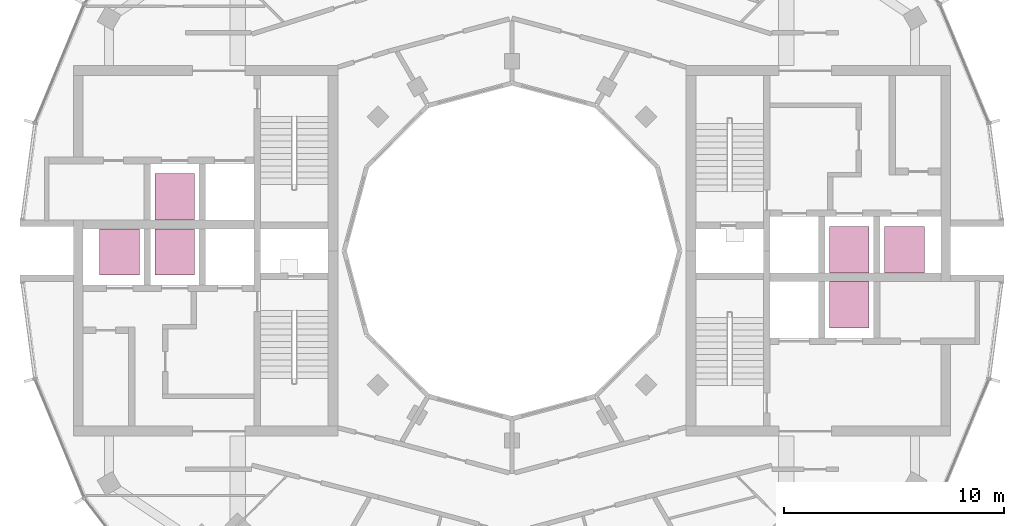
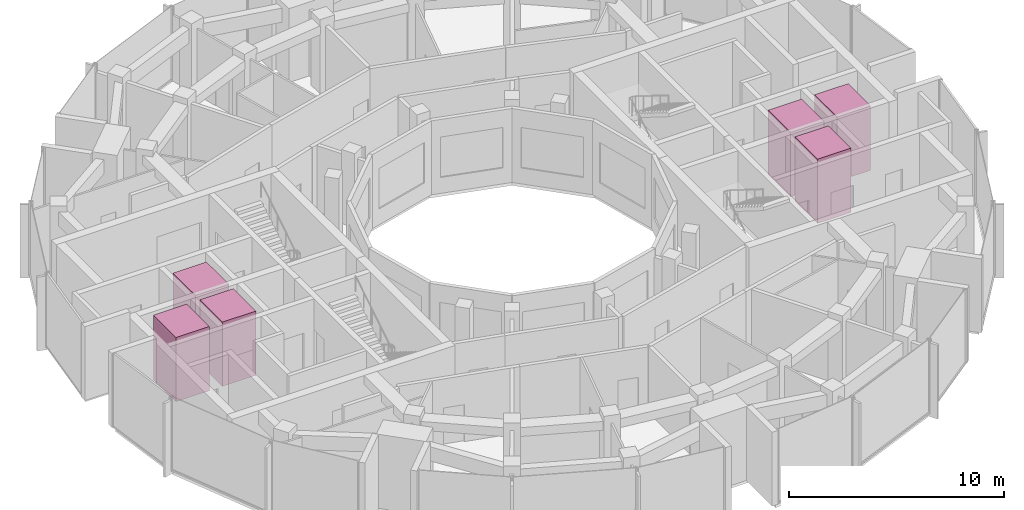
# One storey, part 14 of 14: 6 transport elements.
"""IFC4 building model written with IfcOpenShell, lengths in metres."""

from ifc_helpers import new_model, si_unit, direction, frame, origin, origin_2d, place, context, subcontext, project, spatial, rectangle, extrude, material, type_object, element, save


model = new_model("IFC4")

# Units and contexts
model_context = context("Model", 3, precision=1e-05, world=origin(), true_north=direction((0.0, 1.0)))
body_context = subcontext(model_context, "Body", "Model", "MODEL_VIEW")
ifc_project = project(units=[si_unit("LENGTHUNIT", "METRE"), si_unit("AREAUNIT", "SQUARE_METRE"), si_unit("VOLUMEUNIT", "CUBIC_METRE"), si_unit("PLANEANGLEUNIT", "RADIAN"), si_unit("MASSUNIT", "GRAM", prefix="KILO")], contexts=[model_context])

# Site, building, storey
site_placement = place(None, origin())
site = spatial("IfcSite", under=ifc_project, at=site_placement, CompositionType="ELEMENT")
building_placement = place(site_placement, origin())
building = spatial("IfcBuilding", under=site, at=building_placement, Name="Torre Brocal", CompositionType="ELEMENT")
storey_placement = place(building_placement, frame((0.0, 0.0, 305.10009765625)))
storey = spatial("IfcBuildingStorey", under=building, at=storey_placement, Name="L70", CompositionType="ELEMENT", Elevation=305.10009765625)

# Transport elements
ifc_material = material(Name="Stainless steel AISI 316", Category="steel")
transport_element_type = type_object("IfcTransportElementType", Name="PASSENGER LIFT", PredefinedType="ELEVATOR", material=ifc_material)
for number, where, z_axis, x_axis, name in (
    (1, (95.300048828125, 75.050048828125, 0.0), (0.0, 0.0, 1.0), (1.0, 0.0, 0.0), "HIGH RISE LIFT E-HR1"),
    (2, (95.300048828125, 72.550048828125, 0.0), (0.0, 0.0, 1.0), (1.0, 0.0, 0.0), "HIGH RISE LIFT E-HR2"),
    (3, (97.800048828125, 75.050048828125, 0.0), (0.0, 0.0, 1.0), (1.0, 0.0, 0.0), "HIGH RISE LIFT E-HR3"),
    (4, (64.699951171875, 74.949951171875, 0.0), (0.0, 0.0, 1.0), (1.0, 0.0, 0.0), "HIGH RISE LIFT W-HR1"),
    (5, (64.699951171875, 77.449951171875, 0.0), (0.0, 0.0, 1.0), (1.0, 0.0, 0.0), "HIGH RISE LIFT W-HR2"),
    (6, (62.199951171875, 74.949951171875, 0.0), (0.0, 0.0, 1.0), (1.0, 0.0, 0.0), "HIGH RISE LIFT W-HR3"),
):
    element("IfcTransportElement", number, at=place(storey_placement, frame(where, z_axis=z_axis, x_axis=x_axis)), inside=storey, type_object=transport_element_type, Name=name, PredefinedType="ELEVATOR", context=body_context, shape_type="SweptSolid", body=[
        extrude(rectangle(XDim=1.800048828125, YDim=2.10009765625, at=origin_2d()), origin(), (0.0, 0.0, 1.0), 3.64990234375),
    ])

save(model, "model.ifc")
